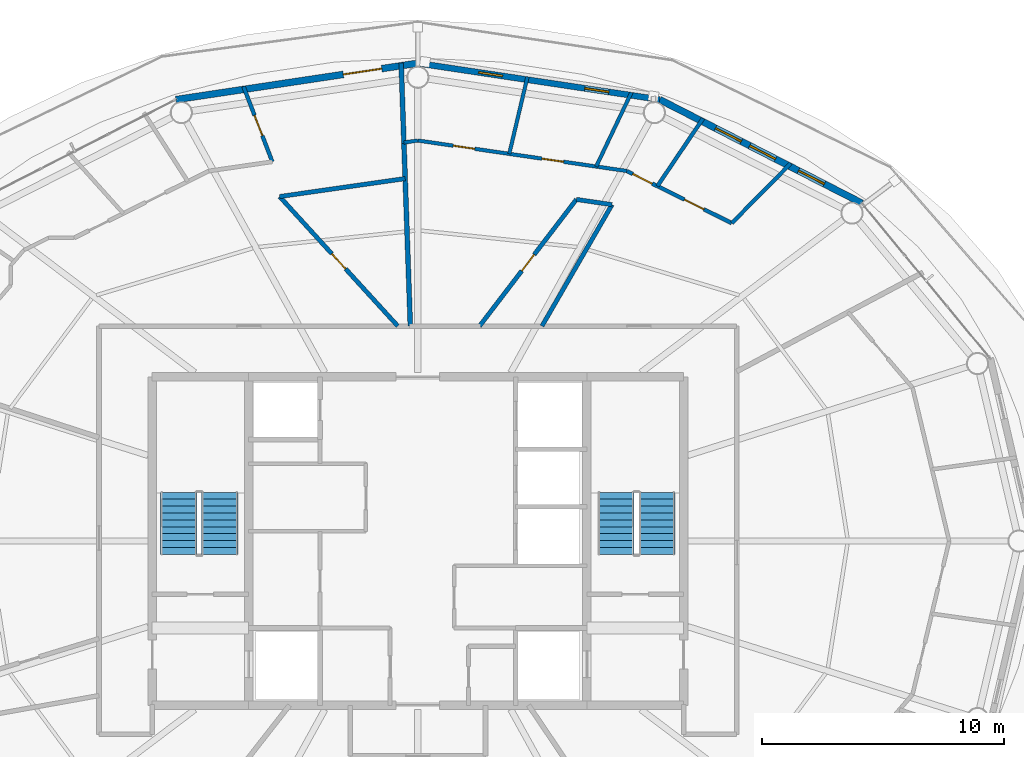
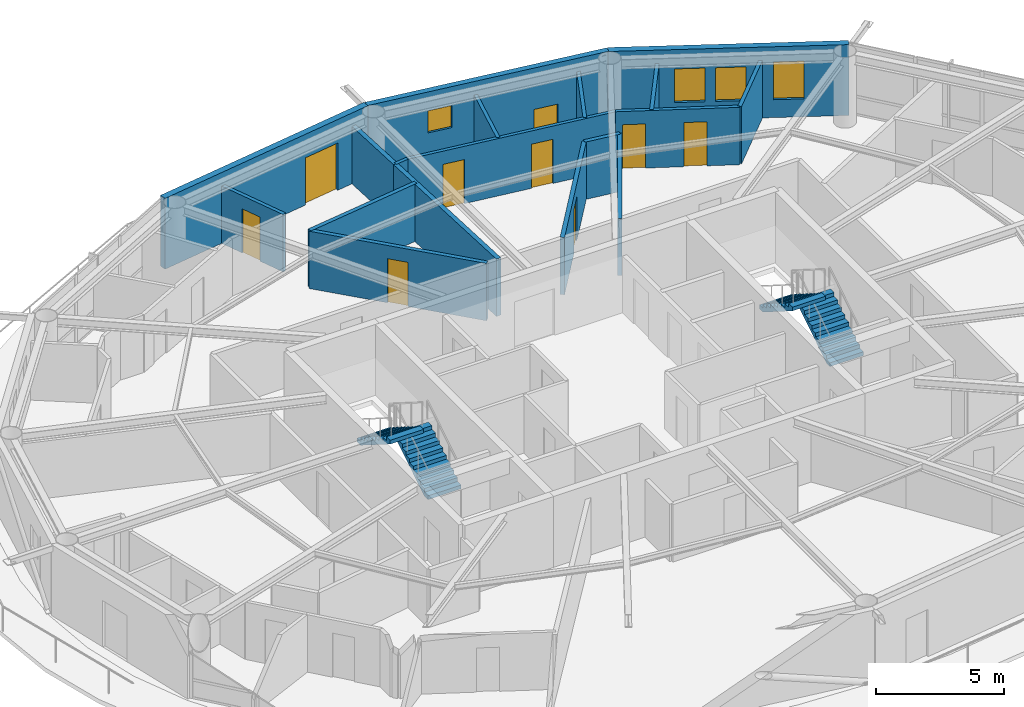
# One storey, part 19 of 22: 18 walls, 8 doors, 5 windows, 4 stair flights, 13 openings, 2 elements without a shape of their own.
"""IFC4 building model written with IfcOpenShell, lengths in metres."""

from ifc_helpers import new_model, si_unit, direction, frame, frame_2d, origin, place, context, subcontext, project, spatial, polyline, rectangle, outline, extrude, material, layer, layer_set, type_object, element, fill, aggregate, save


model = new_model("IFC4")

# Units and contexts
model_context = context("Model", 3, precision=1e-05, world=origin(), true_north=direction((0.0, 1.0)))
body_context = subcontext(model_context, "Body", "Model", "MODEL_VIEW")
ifc_project = project(units=[si_unit("LENGTHUNIT", "METRE"), si_unit("AREAUNIT", "SQUARE_METRE"), si_unit("VOLUMEUNIT", "CUBIC_METRE"), si_unit("PLANEANGLEUNIT", "RADIAN"), si_unit("MASSUNIT", "GRAM", prefix="KILO")], contexts=[model_context])

# Site, building, storey
site_placement = place(None, origin())
site = spatial("IfcSite", under=ifc_project, at=site_placement, CompositionType="ELEMENT")
building_placement = place(site_placement, origin())
building = spatial("IfcBuilding", under=site, at=building_placement, Name="Sarneth Arch Tower", CompositionType="ELEMENT")
storey_placement = place(building_placement, frame((0.0, 0.0, 291.0)))
storey = spatial("IfcBuildingStorey", under=building, at=storey_placement, Name="L75", CompositionType="ELEMENT", Elevation=291.0)

# Wall, openings, windows
ifc_material_1 = material(Name="Extruded terracotta rainscreen on Concrete C40/50 backing", Category="masonry")
ifc_layer_1 = layer(ifc_material_1, 0.25)
ifc_layer_set_1 = layer_set([ifc_layer_1], Name="Extruded terracotta rainscreen on Concrete C40/50 backing")
wall_type_1 = type_object("IfcWallType", Name="WALL-EXT-SPAND-250", PredefinedType="SOLIDWALL", material=ifc_layer_set_1)
wall_1_placement = place(storey_placement, frame((58.0126953125, 60.2744140625, 0.0), z_axis=(0.0, 0.0, 1.0), x_axis=(-0.988882522213, 0.148698881169, 0.0)))
wall_1 = element("IfcWall", 1, at=wall_1_placement, inside=storey, type_object=wall_type_1, Name="L75 Terracotta perimeter wall 04", PredefinedType="SOLIDWALL", context=body_context, shape_type="SweptSolid", body=[
    extrude(rectangle(XDim=10.125244140625, YDim=0.25, at=frame_2d((5.0625, 0.0))), origin(), (0.0, 0.0, 1.0), 3.3701171875),
])
opening_1_placement = place(wall_1_placement, frame((2.1337890625, 0.0, 0.35009765625)))
opening_1 = element("IfcOpeningElement", 2, at=opening_1_placement, cuts=wall_1, Name="Opening W-14", PredefinedType="OPENING", context=body_context, shape_type="SweptSolid", body=[
    extrude(rectangle(XDim=1.0, YDim=1.050048828125, at=frame_2d((0.5, 0.52490234375))), frame((0.0, 0.135009765625, 0.0), z_axis=(0.0, -1.0, 0.0), x_axis=(1.0, 0.0, 0.0)), (0.0, 0.0, 1.0), 0.27001953125),
])
opening_2_placement = place(wall_1_placement, frame((6.58154296875, 0.0, 1.419921875)))
opening_2 = element("IfcOpeningElement", 3, at=opening_2_placement, cuts=wall_1, Name="Opening W-14", PredefinedType="OPENING", context=body_context, shape_type="SweptSolid", body=[
    extrude(rectangle(XDim=1.0, YDim=1.050048828125, at=frame_2d((0.5, 0.52490234375))), frame((0.0, 0.135009765625, 0.0), z_axis=(0.0, -1.0, 0.0), x_axis=(1.0, 0.0, 0.0)), (0.0, 0.0, 1.0), 0.27001953125),
])
ifc_material_2 = material(Name="Thermally broken Aluminium 6063-T6 and low-e laminated IGU", Category="aluminium")
window_type_1 = type_object("IfcWindowType", Name="WIN-TWR-1000x1050", PartitioningType="SINGLE_PANEL", PredefinedType="WINDOW", material=ifc_material_2)
window_1_placement = place(opening_1_placement, origin())
window_1 = element("IfcWindow", 4, at=window_1_placement, inside=storey, type_object=window_type_1, Name="L75 Dwelling bedroom window 01", OverallHeight=1.050048828125, OverallWidth=1.0, PartitioningType="SINGLE_PANEL", PredefinedType="WINDOW", context=body_context, shape_type="SweptSolid", body=[
    extrude(rectangle(XDim=1.0, YDim=1.050048828125, at=frame_2d((0.5, 0.52490234375))), frame((0.0, 0.030029296875, 0.0), z_axis=(0.0, -1.0, 0.0), x_axis=(1.0, 0.0, 0.0)), (0.0, 0.0, 1.0), 0.06005859375),
])
fill(opening_1, window_1)
window_2_placement = place(opening_2_placement, origin())
window_2 = element("IfcWindow", 5, at=window_2_placement, inside=storey, type_object=window_type_1, Name="L75 Dwelling bedroom window 02", OverallHeight=1.050048828125, OverallWidth=1.0, PartitioningType="SINGLE_PANEL", PredefinedType="WINDOW", context=body_context, shape_type="SweptSolid", body=[
    extrude(rectangle(XDim=1.0, YDim=1.050048828125, at=frame_2d((0.5, 0.52490234375))), frame((0.0, 0.030029296875, 0.0), z_axis=(0.0, -1.0, 0.0), x_axis=(1.0, 0.0, 0.0)), (0.0, 0.0, 1.0), 0.06005859375),
])
fill(opening_2, window_2)

ifc_material_3 = material(Name="Extruded terracotta rainscreen on Concrete C40/50 backing", Category="masonry")
ifc_layer_2 = layer(ifc_material_3, 0.280029296875)
ifc_layer_set_2 = layer_set([ifc_layer_2], Name="Extruded terracotta rainscreen on Concrete C40/50 backing")
wall_type_2 = type_object("IfcWallType", Name="WALL-EXT-TERRA-280", PredefinedType="SOLIDWALL", material=ifc_layer_set_2)
wall_2_placement = place(storey_placement, frame((66.382568359375, 55.986572265625, 0.0), z_axis=(0.0, 0.0, 1.0), x_axis=(-0.890007394051, 0.455946091699, 0.0)))
wall_2 = element("IfcWall", 6, at=wall_2_placement, inside=storey, type_object=wall_type_2, Name="L75 Terracotta perimeter wall 03", PredefinedType="SOLIDWALL", context=body_context, shape_type="SweptSolid", body=[
    extrude(rectangle(XDim=9.404296875, YDim=0.280029296875, at=frame_2d((4.7021484375, 0.0))), origin(), (0.0, 0.0, 1.0), 3.3701171875),
])
opening_3_placement = place(wall_2_placement, frame((1.75, 0.0, 0.85009765625)))
opening_3 = element("IfcOpeningElement", 7, at=opening_3_placement, cuts=wall_2, Name="Opening W-09", PredefinedType="OPENING", context=body_context, shape_type="SweptSolid", body=[
    extrude(rectangle(XDim=1.199951171875, YDim=1.800048828125, at=frame_2d((0.60009765625, 0.89990234375))), frame((0.0, 0.14990234375, 0.0), z_axis=(0.0, -1.0, 0.0), x_axis=(1.0, 0.0, 0.0)), (0.0, 0.0, 1.0), 0.300048828125),
])
opening_4_placement = place(wall_2_placement, frame((4.016845703125, 0.0, 0.85009765625)))
opening_4 = element("IfcOpeningElement", 8, at=opening_4_placement, cuts=wall_2, Name="Opening W-10", PredefinedType="OPENING", context=body_context, shape_type="SweptSolid", body=[
    extrude(rectangle(XDim=1.199951171875, YDim=1.60009765625, at=frame_2d((0.60009765625, 0.800048828125))), frame((0.0, 0.14990234375, 0.0), z_axis=(0.0, -1.0, 0.0), x_axis=(1.0, 0.0, 0.0)), (0.0, 0.0, 1.0), 0.300048828125),
])
opening_5_placement = place(wall_2_placement, frame((5.609375, 0.0, 0.85009765625)))
opening_5 = element("IfcOpeningElement", 9, at=opening_5_placement, cuts=wall_2, Name="Opening W-10", PredefinedType="OPENING", context=body_context, shape_type="SweptSolid", body=[
    extrude(rectangle(XDim=1.199951171875, YDim=1.60009765625, at=frame_2d((0.60009765625, 0.800048828125))), frame((0.0, 0.14990234375, 0.0), z_axis=(0.0, -1.0, 0.0), x_axis=(1.0, 0.0, 0.0)), (0.0, 0.0, 1.0), 0.300048828125),
])
ifc_material_4 = material(Name="Thermally broken Aluminium 6063-T6 and low-e laminated IGU", Category="aluminium")
window_type_2 = type_object("IfcWindowType", Name="WIN-TWR-1200x1600", PartitioningType="SINGLE_PANEL", PredefinedType="WINDOW", material=ifc_material_4)
window_3_placement = place(opening_4_placement, origin())
window_3 = element("IfcWindow", 10, at=window_3_placement, inside=storey, type_object=window_type_2, Name="L75 Exterior window 03B", OverallHeight=1.60009765625, OverallWidth=1.199951171875, PartitioningType="SINGLE_PANEL", PredefinedType="WINDOW", context=body_context, shape_type="SweptSolid", body=[
    extrude(rectangle(XDim=1.199951171875, YDim=1.60009765625, at=frame_2d((0.60009765625, 0.800048828125))), frame((0.0, 0.030029296875, 0.0), z_axis=(0.0, -1.0, 0.0), x_axis=(1.0, 0.0, 0.0)), (0.0, 0.0, 1.0), 0.06005859375),
])
fill(opening_4, window_3)
window_4_placement = place(opening_5_placement, origin())
window_4 = element("IfcWindow", 11, at=window_4_placement, inside=storey, type_object=window_type_2, Name="L75 Exterior window 03C", OverallHeight=1.60009765625, OverallWidth=1.199951171875, PartitioningType="SINGLE_PANEL", PredefinedType="WINDOW", context=body_context, shape_type="SweptSolid", body=[
    extrude(rectangle(XDim=1.199951171875, YDim=1.60009765625, at=frame_2d((0.60009765625, 0.800048828125))), frame((0.0, 0.030029296875, 0.0), z_axis=(0.0, -1.0, 0.0), x_axis=(1.0, 0.0, 0.0)), (0.0, 0.0, 1.0), 0.06005859375),
])
fill(opening_5, window_4)
ifc_material_5 = material(Name="Thermally broken Aluminium 6063-T6 and low-e laminated IGU", Category="aluminium")
window_type_3 = type_object("IfcWindowType", Name="WIN-TWR-1200x1800", PartitioningType="SINGLE_PANEL", PredefinedType="WINDOW", material=ifc_material_5)
window_5_placement = place(opening_3_placement, origin())
window_5 = element("IfcWindow", 12, at=window_5_placement, inside=storey, type_object=window_type_3, Name="L75 Exterior window 03A", OverallHeight=1.800048828125, OverallWidth=1.199951171875, PartitioningType="SINGLE_PANEL", PredefinedType="WINDOW", context=body_context, shape_type="SweptSolid", body=[
    extrude(rectangle(XDim=1.199951171875, YDim=1.800048828125, at=frame_2d((0.60009765625, 0.89990234375))), frame((0.0, 0.030029296875, 0.0), z_axis=(0.0, -1.0, 0.0), x_axis=(1.0, 0.0, 0.0)), (0.0, 0.0, 1.0), 0.06005859375),
])
fill(opening_3, window_5)

# Wall, opening, door
wall_3_placement = place(storey_placement, frame((48.0, 61.780029296875, 0.0), z_axis=(0.0, 0.0, 1.0), x_axis=(-0.988882522213, -0.148698881169, 0.0)))
wall_3 = element("IfcWall", 13, at=wall_3_placement, inside=storey, type_object=wall_type_2, Name="L75 Terracotta perimeter wall 05", PredefinedType="SOLIDWALL", context=body_context, shape_type="SweptSolid", body=[
    extrude(rectangle(XDim=10.125244140625, YDim=0.280029296875, at=frame_2d((5.0625, 0.0))), origin(), (0.0, 0.0, 1.0), 3.3701171875),
])
opening_6_placement = place(wall_3_placement, frame((1.51611328125, 0.0, 0.0)))
opening_6 = element("IfcOpeningElement", 14, at=opening_6_placement, cuts=wall_3, Name="Opening BD-1", PredefinedType="OPENING", context=body_context, shape_type="SweptSolid", body=[
    extrude(rectangle(XDim=1.60009765625, YDim=2.25, at=frame_2d((0.800048828125, 1.125))), frame((0.0, 0.14990234375, 0.0), z_axis=(0.0, -1.0, 0.0), x_axis=(1.0, 0.0, 0.0)), (0.0, 0.0, 1.0), 0.300048828125),
])
ifc_material_6 = material(Name="Thermally broken Aluminium 6063-T6 and laminated safety glass", Category="aluminium")
door_type_1 = type_object("IfcDoorType", Name="DR-BALC-GLZ-1600", OperationType="DOUBLE_DOOR_SINGLE_SWING", PredefinedType="DOOR", material=ifc_material_6)
door_1_placement = place(opening_6_placement, origin())
door_1 = element("IfcDoor", 15, at=door_1_placement, inside=storey, type_object=door_type_1, Name="L75 Balcony glazed door 05", OperationType="DOUBLE_DOOR_SINGLE_SWING", OverallHeight=2.25, OverallWidth=1.60009765625, PredefinedType="DOOR", context=body_context, shape_type="SweptSolid", body=[
    extrude(rectangle(XDim=1.60009765625, YDim=2.25, at=frame_2d((0.800048828125, 1.125))), frame((0.0, 0.02490234375, 0.0), z_axis=(0.0, -1.0, 0.0), x_axis=(1.0, 0.0, 0.0)), (0.0, 0.0, 1.0), 0.050048828125),
])
fill(opening_6, door_1)

# Wall, openings, doors
ifc_material_7 = material(Name="Acoustic gypsum stud partition", Category="gypsum")
ifc_layer_3 = layer(ifc_material_7, 0.14990234375)
ifc_layer_set_3 = layer_set([ifc_layer_3], Name="Acoustic gypsum stud partition")
wall_type_3 = type_object("IfcWallType", Name="WALL-PART-150", PredefinedType="PARTITIONING", material=ifc_layer_set_3)
wall_4_placement = place(storey_placement, frame((48.0, 58.580078125, 0.0), z_axis=(0.0, 0.0, 1.0), x_axis=(0.989536136377, -0.144285254977, 0.0)))
wall_4 = element("IfcWall", 16, at=wall_4_placement, inside=storey, type_object=wall_type_3, Name="L75 Interior partition W-L75-TP-028", PredefinedType="PARTITIONING", context=body_context, shape_type="SweptSolid", body=[
    extrude(rectangle(XDim=8.746337890625, YDim=0.14990234375, at=frame_2d((4.373046875, 0.0))), origin(), (0.0, 0.0, 1.0), 2.72998046875),
])
opening_7_placement = place(wall_4_placement, frame((1.478759765625, 0.0, 0.0)))
opening_7 = element("IfcOpeningElement", 17, at=opening_7_placement, cuts=wall_4, Name="Opening ID-01", PredefinedType="OPENING", context=body_context, shape_type="SweptSolid", body=[
    extrude(rectangle(XDim=0.89990234375, YDim=2.10009765625, at=frame_2d((0.449951171875, 1.050048828125))), frame((0.0, 0.0849609375, 0.0), z_axis=(0.0, -1.0, 0.0), x_axis=(1.0, 0.0, 0.0)), (0.0, 0.0, 1.0), 0.169921875),
])
opening_8_placement = place(wall_4_placement, frame((5.193359375, 0.0, 0.0)))
opening_8 = element("IfcOpeningElement", 18, at=opening_8_placement, cuts=wall_4, Name="Opening ID-01", PredefinedType="OPENING", context=body_context, shape_type="SweptSolid", body=[
    extrude(rectangle(XDim=0.89990234375, YDim=2.10009765625, at=frame_2d((0.449951171875, 1.050048828125))), frame((0.0, 0.0849609375, 0.0), z_axis=(0.0, -1.0, 0.0), x_axis=(1.0, 0.0, 0.0)), (0.0, 0.0, 1.0), 0.169921875),
])
ifc_material_8 = material(Name="Engineered hardwood flush door", Category="wood")
door_type_2 = type_object("IfcDoorType", Name="DR-INT-900", OperationType="SINGLE_SWING_LEFT", PredefinedType="DOOR", material=ifc_material_8)
door_2_placement = place(opening_7_placement, origin())
door_2 = element("IfcDoor", 19, at=door_2_placement, inside=storey, type_object=door_type_2, Name="L75 Interior door DR-L75-U1-BED2", OperationType="SINGLE_SWING_LEFT", OverallHeight=2.10009765625, OverallWidth=0.89990234375, PredefinedType="DOOR", context=body_context, shape_type="SweptSolid", body=[
    extrude(rectangle(XDim=0.89990234375, YDim=2.10009765625, at=frame_2d((0.449951171875, 1.050048828125))), frame((0.0, 0.02490234375, 0.0), z_axis=(0.0, -1.0, 0.0), x_axis=(1.0, 0.0, 0.0)), (0.0, 0.0, 1.0), 0.050048828125),
])
fill(opening_7, door_2)
door_3_placement = place(opening_8_placement, origin())
door_3 = element("IfcDoor", 20, at=door_3_placement, inside=storey, type_object=door_type_2, Name="L75 Interior door DR-L75-U1-BED1", OperationType="SINGLE_SWING_RIGHT", OverallHeight=2.10009765625, OverallWidth=0.89990234375, PredefinedType="DOOR", context=body_context, shape_type="SweptSolid", body=[
    extrude(rectangle(XDim=0.89990234375, YDim=2.10009765625, at=frame_2d((0.449951171875, 1.050048828125))), frame((0.0, 0.02490234375, 0.0), z_axis=(0.0, -1.0, 0.0), x_axis=(1.0, 0.0, 0.0)), (0.0, 0.0, 1.0), 0.050048828125),
])
fill(opening_8, door_3)

# Walls
wall_5_placement = place(storey_placement, frame((56.842041015625, 60.56640625, 0.0), z_axis=(0.0, 0.0, 1.0), x_axis=(-0.429975480416, -0.902840565239, 0.0)))
element("IfcWall", 21, at=wall_5_placement, inside=storey, type_object=wall_type_3, Name="L75 Interior partition W-L75-TP-034", PredefinedType="PARTITIONING", context=body_context, shape_type="SweptSolid", body=[
    extrude(rectangle(XDim=3.392578125, YDim=0.14990234375, at=frame_2d((1.6962890625, 0.0))), origin(), (0.0, 0.0, 1.0), 2.72998046875),
])
wall_6_placement = place(storey_placement, frame((51.78515625, 58.028076171875, 0.0), z_axis=(0.0, 0.0, 1.0), x_axis=(0.2298279545, 0.973231273301, 0.0)))
element("IfcWall", 22, at=wall_6_placement, inside=storey, type_object=wall_type_3, Name="L75 Interior partition W-L75-TP-035", PredefinedType="PARTITIONING", context=body_context, shape_type="SweptSolid", body=[
    extrude(rectangle(XDim=3.278076171875, YDim=0.14990234375, at=frame_2d((1.63916015625, 0.0))), origin(), (0.0, 0.0, 1.0), 2.72998046875),
])
wall_7_placement = place(storey_placement, frame((47.424072265625, 58.49609375, 0.0), z_axis=(0.0, 0.0, 1.0), x_axis=(0.989534228924, 0.144298336053, 0.0)))
element("IfcWall", 23, at=wall_7_placement, inside=storey, type_object=wall_type_3, Name="L75 Interior partition W-L75-TP-027", PredefinedType="PARTITIONING", context=body_context, shape_type="SweptSolid", body=[
    extrude(rectangle(XDim=0.58203125, YDim=0.14990234375, at=frame_2d((0.291015625, 0.0))), origin(), (0.0, 0.0, 1.0), 2.72998046875),
])

# Wall, openings, doors
ifc_material_9 = material(Name="Kitchen wet service chase wall", Category="gypsum")
ifc_layer_4 = layer(ifc_material_9, 0.159912109375)
ifc_layer_set_4 = layer_set([ifc_layer_4], Name="Kitchen wet service chase wall")
wall_type_4 = type_object("IfcWallType", Name="WALL-PLUMB-160", PredefinedType="PLUMBINGWALL", material=ifc_layer_set_4)
wall_8_placement = place(storey_placement, frame((56.65478515625, 57.318115234375, 0.0), z_axis=(0.0, 0.0, 1.0), x_axis=(0.895572412961, -0.44491578208, 0.0)))
wall_8 = element("IfcWall", 24, at=wall_8_placement, inside=storey, type_object=wall_type_4, Name="L75 Interior partition W-L75-TP-021", PredefinedType="PLUMBINGWALL", context=body_context, shape_type="SweptSolid", body=[
    extrude(rectangle(XDim=4.84814453125, YDim=0.159912109375, at=frame_2d((2.424072265625, 0.0))), origin(), (0.0, 0.0, 1.0), 2.72998046875),
])
opening_9_placement = place(wall_8_placement, frame((2.66162109375, 0.0, 0.0)))
opening_9 = element("IfcOpeningElement", 25, at=opening_9_placement, cuts=wall_8, Name="Opening ID-01", PredefinedType="OPENING", context=body_context, shape_type="SweptSolid", body=[
    extrude(rectangle(XDim=0.89990234375, YDim=2.10009765625, at=frame_2d((0.449951171875, 1.050048828125))), frame((0.0, 0.08984375, 0.0), z_axis=(0.0, -1.0, 0.0), x_axis=(1.0, 0.0, 0.0)), (0.0, 0.0, 1.0), 0.179931640625),
])
opening_10_placement = place(wall_8_placement, frame((0.27001953125, 0.0, 0.0)))
opening_10 = element("IfcOpeningElement", 26, at=opening_10_placement, cuts=wall_8, Name="Opening ID-01", PredefinedType="OPENING", context=body_context, shape_type="SweptSolid", body=[
    extrude(rectangle(XDim=0.89990234375, YDim=2.10009765625, at=frame_2d((0.449951171875, 1.050048828125))), frame((0.0, 0.08984375, 0.0), z_axis=(0.0, -1.0, 0.0), x_axis=(1.0, 0.0, 0.0)), (0.0, 0.0, 1.0), 0.179931640625),
])
door_4_placement = place(opening_9_placement, origin())
door_4 = element("IfcDoor", 27, at=door_4_placement, inside=storey, type_object=door_type_2, Name="L75 Interior door DR-L75-U1-KIT", OperationType="SINGLE_SWING_LEFT", OverallHeight=2.10009765625, OverallWidth=0.89990234375, PredefinedType="DOOR", context=body_context, shape_type="SweptSolid", body=[
    extrude(rectangle(XDim=0.89990234375, YDim=2.10009765625, at=frame_2d((0.449951171875, 1.050048828125))), frame((0.0, 0.02490234375, 0.0), z_axis=(0.0, -1.0, 0.0), x_axis=(1.0, 0.0, 0.0)), (0.0, 0.0, 1.0), 0.050048828125),
])
fill(opening_9, door_4)
door_5_placement = place(opening_10_placement, origin())
door_5 = element("IfcDoor", 28, at=door_5_placement, inside=storey, type_object=door_type_2, Name="L75 Interior door DR-L75-U1-STD", OperationType="SINGLE_SWING_LEFT", OverallHeight=2.10009765625, OverallWidth=0.89990234375, PredefinedType="DOOR", context=body_context, shape_type="SweptSolid", body=[
    extrude(rectangle(XDim=0.89990234375, YDim=2.10009765625, at=frame_2d((0.449951171875, 1.050048828125))), frame((0.0, 0.02490234375, 0.0), z_axis=(0.0, -1.0, 0.0), x_axis=(1.0, 0.0, 0.0)), (0.0, 0.0, 1.0), 0.050048828125),
])
fill(opening_10, door_5)

# Walls
wall_9_placement = place(storey_placement, frame((60.99658203125, 55.1611328125, 0.0), z_axis=(0.0, 0.0, 1.0), x_axis=(0.702618919802, 0.711566338113, 0.0)))
element("IfcWall", 29, at=wall_9_placement, inside=storey, type_object=wall_type_4, Name="L75 Interior partition W-L75-TP-022", PredefinedType="PLUMBINGWALL", context=body_context, shape_type="SweptSolid", body=[
    extrude(rectangle(XDim=3.46533203125, YDim=0.159912109375, at=frame_2d((1.732666015625, 0.0))), origin(), (0.0, 0.0, 1.0), 2.72998046875),
])
wall_10_placement = place(storey_placement, frame((59.804443359375, 59.490234375, 0.0), z_axis=(0.0, 0.0, 1.0), x_axis=(-0.559397095435, -0.828899806743, 0.0)))
element("IfcWall", 30, at=wall_10_placement, inside=storey, type_object=wall_type_4, Name="L75 Interior partition W-L75-TP-033", PredefinedType="PLUMBINGWALL", context=body_context, shape_type="SweptSolid", body=[
    extrude(rectangle(XDim=3.376220703125, YDim=0.159912109375, at=frame_2d((1.68798828125, 0.0))), origin(), (0.0, 0.0, 1.0), 2.72998046875),
])

# Wall, opening, door
wall_11_placement = place(storey_placement, frame((41.9765625, 57.70166015625, 0.0), z_axis=(0.0, 0.0, 1.0), x_axis=(-0.358154229758, 0.933662437772, 0.0)))
wall_11 = element("IfcWall", 31, at=wall_11_placement, inside=storey, type_object=wall_type_4, Name="L75 Interior partition W-L75-TP-040", PredefinedType="PLUMBINGWALL", context=body_context, shape_type="SweptSolid", body=[
    extrude(rectangle(XDim=3.332763671875, YDim=0.159912109375, at=frame_2d((1.66650390625, 0.0))), origin(), (0.0, 0.0, 1.0), 2.72998046875),
])
opening_11_placement = place(wall_11_placement, frame((1.156494140625, 0.0, 0.0)))
opening_11 = element("IfcOpeningElement", 32, at=opening_11_placement, cuts=wall_11, Name="Opening ID-01", PredefinedType="OPENING", context=body_context, shape_type="SweptSolid", body=[
    extrude(rectangle(XDim=0.89990234375, YDim=2.10009765625, at=frame_2d((0.449951171875, 1.050048828125))), frame((0.0, 0.08984375, 0.0), z_axis=(0.0, -1.0, 0.0), x_axis=(1.0, 0.0, 0.0)), (0.0, 0.0, 1.0), 0.179931640625),
])
door_6_placement = place(opening_11_placement, origin())
door_6 = element("IfcDoor", 33, at=door_6_placement, inside=storey, type_object=door_type_2, Name="L75 Interior door DR-L75-U2-KIT", OperationType="SINGLE_SWING_RIGHT", OverallHeight=2.10009765625, OverallWidth=0.89990234375, PredefinedType="DOOR", context=body_context, shape_type="SweptSolid", body=[
    extrude(rectangle(XDim=0.89990234375, YDim=2.10009765625, at=frame_2d((0.449951171875, 1.050048828125))), frame((0.0, 0.02490234375, 0.0), z_axis=(0.0, -1.0, 0.0), x_axis=(1.0, 0.0, 0.0)), (0.0, 0.0, 1.0), 0.050048828125),
])
fill(opening_11, door_6)

ifc_material_10 = material(Name="Moisture-resistant plumbing chase wall", Category="gypsum")
ifc_layer_5 = layer(ifc_material_10, 0.179931640625)
ifc_layer_set_5 = layer_set([ifc_layer_5], Name="Moisture-resistant plumbing chase wall")
wall_type_5 = type_object("IfcWallType", Name="WALL-PLUMB-180", PredefinedType="PLUMBINGWALL", material=ifc_layer_set_5)
wall_12_placement = place(storey_placement, frame((42.277587890625, 56.26123046875, 0.0), z_axis=(0.0, 0.0, 1.0), x_axis=(0.674096276867, -0.73864349284, 0.0)))
wall_12 = element("IfcWall", 34, at=wall_12_placement, inside=storey, type_object=wall_type_5, Name="L75 Interior partition W-L75-TP-042", PredefinedType="PLUMBINGWALL", context=body_context, shape_type="SweptSolid", body=[
    extrude(rectangle(XDim=7.25830078125, YDim=0.179931640625, at=frame_2d((3.629150390625, 0.0))), origin(), (0.0, 0.0, 1.0), 2.72998046875),
])
opening_12_placement = place(wall_12_placement, frame((3.2041015625, 0.0, 0.0)))
opening_12 = element("IfcOpeningElement", 35, at=opening_12_placement, cuts=wall_12, Name="Opening ID-02", PredefinedType="OPENING", context=body_context, shape_type="SweptSolid", body=[
    extrude(rectangle(XDim=0.85009765625, YDim=2.10009765625, at=frame_2d((0.425048828125, 1.050048828125))), frame((0.0, 0.099853515625, 0.0), z_axis=(0.0, -1.0, 0.0), x_axis=(1.0, 0.0, 0.0)), (0.0, 0.0, 1.0), 0.199951171875),
])
ifc_material_11 = material(Name="Moisture-resistant bathroom timber door", Category="wood")
door_type_3 = type_object("IfcDoorType", Name="DR-INT-850", OperationType="SINGLE_SWING_RIGHT", PredefinedType="DOOR", material=ifc_material_11)
door_7_placement = place(opening_12_placement, origin())
door_7 = element("IfcDoor", 36, at=door_7_placement, inside=storey, type_object=door_type_3, Name="L75 Interior door DR-L75-U2-BATH", OperationType="SINGLE_SWING_LEFT", OverallHeight=2.10009765625, OverallWidth=0.85009765625, PredefinedType="DOOR", context=body_context, shape_type="SweptSolid", body=[
    extrude(rectangle(XDim=0.85009765625, YDim=2.10009765625, at=frame_2d((0.425048828125, 1.050048828125))), frame((0.0, 0.02490234375, 0.0), z_axis=(0.0, -1.0, 0.0), x_axis=(1.0, 0.0, 0.0)), (0.0, 0.0, 1.0), 0.050048828125),
])
fill(opening_12, door_7)

wall_13_placement = place(storey_placement, frame((54.563720703125, 56.14111328125, 0.0), z_axis=(0.0, 0.0, 1.0), x_axis=(-0.607456974677, -0.794352581614, 0.0)))
wall_13 = element("IfcWall", 37, at=wall_13_placement, inside=storey, type_object=wall_type_5, Name="L75 Interior partition W-L75-TP-025", PredefinedType="PLUMBINGWALL", context=body_context, shape_type="SweptSolid", body=[
    extrude(rectangle(XDim=6.59814453125, YDim=0.179931640625, at=frame_2d((3.299072265625, 0.0))), origin(), (0.0, 0.0, 1.0), 2.72998046875),
])
opening_13_placement = place(wall_13_placement, frame((2.8740234375, 0.0, 0.0)))
opening_13 = element("IfcOpeningElement", 38, at=opening_13_placement, cuts=wall_13, Name="Opening ID-02", PredefinedType="OPENING", context=body_context, shape_type="SweptSolid", body=[
    extrude(rectangle(XDim=0.85009765625, YDim=2.10009765625, at=frame_2d((0.425048828125, 1.050048828125))), frame((0.0, 0.099853515625, 0.0), z_axis=(0.0, -1.0, 0.0), x_axis=(1.0, 0.0, 0.0)), (0.0, 0.0, 1.0), 0.199951171875),
])
door_8_placement = place(opening_13_placement, origin())
door_8 = element("IfcDoor", 39, at=door_8_placement, inside=storey, type_object=door_type_3, Name="L75 Interior door DR-L75-U1-BATH", OperationType="SINGLE_SWING_LEFT", OverallHeight=2.10009765625, OverallWidth=0.85009765625, PredefinedType="DOOR", context=body_context, shape_type="SweptSolid", body=[
    extrude(rectangle(XDim=0.85009765625, YDim=2.10009765625, at=frame_2d((0.425048828125, 1.050048828125))), frame((0.0, 0.02490234375, 0.0), z_axis=(0.0, -1.0, 0.0), x_axis=(1.0, 0.0, 0.0)), (0.0, 0.0, 1.0), 0.050048828125),
])
fill(opening_13, door_8)

# Walls
wall_14_placement = place(storey_placement, frame((53.138427734375, 50.89990234375, 0.0), z_axis=(0.0, 0.0, 1.0), x_axis=(0.499985927882, 0.866033528173, 0.0)))
element("IfcWall", 40, at=wall_14_placement, inside=storey, type_object=wall_type_5, Name="L75 Interior partition W-L75-TP-023", PredefinedType="PLUMBINGWALL", context=body_context, shape_type="SweptSolid", body=[
    extrude(rectangle(XDim=5.802001953125, YDim=0.179931640625, at=frame_2d((2.90087890625, 0.0))), origin(), (0.0, 0.0, 1.0), 2.72998046875),
])
wall_15_placement = place(storey_placement, frame((47.47607421875, 57.0048828125, 0.0), z_axis=(0.0, 0.0, 1.0), x_axis=(-0.989922511169, -0.141610105153, 0.0)))
element("IfcWall", 41, at=wall_15_placement, inside=storey, type_object=wall_type_5, Name="L75 Interior partition W-L75-TP-041", PredefinedType="PLUMBINGWALL", context=body_context, shape_type="SweptSolid", body=[
    extrude(rectangle(XDim=5.25146484375, YDim=0.179931640625, at=frame_2d((2.625732421875, 0.0))), origin(), (0.0, 0.0, 1.0), 2.72998046875),
])
wall_16_placement = place(storey_placement, frame((56.039306640625, 55.924560546875, 0.0), z_axis=(0.0, 0.0, 1.0), x_axis=(-0.989402061703, 0.14520179165, 0.0)))
element("IfcWall", 42, at=wall_16_placement, inside=storey, type_object=wall_type_5, Name="L75 Interior partition W-L75-TP-024", PredefinedType="PLUMBINGWALL", context=body_context, shape_type="SweptSolid", body=[
    extrude(rectangle(XDim=1.491455078125, YDim=0.179931640625, at=frame_2d((0.74560546875, 0.0))), origin(), (0.0, 0.0, 1.0), 2.72998046875),
])
ifc_material_12 = material(Name="Double steel-stud acoustic drywall", Category="steel")
ifc_layer_6 = layer(ifc_material_12, 0.199951171875)
ifc_layer_set_6 = layer_set([ifc_layer_6], Name="Double steel-stud acoustic drywall")
wall_type_6 = type_object("IfcWallType", Name="WALL-UNIT-200", PredefinedType="PARTITIONING", material=ifc_layer_set_6)
wall_17_placement = place(storey_placement, frame((47.689208984375, 50.89990234375, 0.0), z_axis=(0.0, 0.0, 1.0), x_axis=(-0.034882659784, 0.999391414835, 0.0)))
element("IfcWall", 43, at=wall_17_placement, inside=storey, type_object=wall_type_6, Name="L75 Interior partition W-L75-TP-030", PredefinedType="PARTITIONING", context=body_context, shape_type="SweptSolid", body=[
    extrude(rectangle(XDim=7.600830078125, YDim=0.199951171875, at=frame_2d((3.80029296875, 0.0))), origin(), (0.0, 0.0, 1.0), 2.72998046875),
])
wall_18_placement = place(storey_placement, frame((47.30859375, 61.796630859375, 0.0), z_axis=(0.0, 0.0, 1.0), x_axis=(0.034921182562, -0.999390069497, 0.0)))
element("IfcWall", 44, at=wall_18_placement, inside=storey, type_object=wall_type_6, Name="L75 Interior partition W-L75-TP-036", PredefinedType="PARTITIONING", context=body_context, shape_type="SweptSolid", body=[
    extrude(rectangle(XDim=3.334716796875, YDim=0.199951171875, at=frame_2d((1.66748046875, 0.0))), origin(), (0.0, 0.0, 1.0), 2.72998046875),
])

# Stair, stair flights
ifc_material_13 = material(Name="Concrete C50/60", Category="concrete")
stair_type = type_object("IfcStairType", Name="STAIR-CORE-RC", PredefinedType="HALF_TURN_STAIR", material=ifc_material_13)
stair_1_placement = place(storey_placement, origin())
stair_1 = element("IfcStair", 45, at=stair_1_placement, inside=storey, type_object=stair_type, Name="L75 Core Exit Stair 1", PredefinedType="HALF_TURN_STAIR")
ifc_material_14 = material(Name="Concrete C50/60", Category="concrete")
stair_flight_type = type_object("IfcStairFlightType", Name="FLIGHT-RC-1500", PredefinedType="STRAIGHT", material=ifc_material_14)
stair_flight_1_placement = place(storey_placement, frame((39.800048828125, 41.449951171875, 0.0), z_axis=(0.0, 0.0, 1.0), x_axis=(0.0, 1.0, 0.0)))
stair_flight_1 = element("IfcStairFlight", 46, at=stair_flight_1_placement, type_object=stair_flight_type, Name="ST-1 flight 1", NumberOfRisers=10, NumberOfTreads=9, PredefinedType="STRAIGHT", RiserHeight=0.18, TreadLength=0.285, context=body_context, shape_type="SweptSolid", body=[
    extrude(outline(polyline([(0.0, 0.0), (0.0, 0.179931640625), (0.284912109375, 0.179931640625), (0.284912109375, 0.360107421875), (0.570068359375, 0.360107421875), (0.570068359375, 0.5400390625), (0.85498046875, 0.5400390625), (0.85498046875, 0.719970703125), (1.139892578125, 0.719970703125), (1.139892578125, 0.89990234375), (1.425048828125, 0.89990234375), (1.425048828125, 1.080078125), (1.7099609375, 1.080078125), (1.7099609375, 1.260009765625), (1.9951171875, 1.260009765625), (1.9951171875, 1.43994140625), (2.280029296875, 1.43994140625), (2.280029296875, 1.6201171875), (2.56494140625, 1.6201171875), (2.56494140625, 1.800048828125), (2.56494140625, 1.442626953125), (0.28076171875, 0.0), (0.0, 0.0)])), frame((0.0, 0.75, 0.0), z_axis=(0.0, -1.0, 0.0), x_axis=(1.0, 0.0, 0.0)), (0.0, 0.0, 1.0), 1.5),
])
stair_flight_2_placement = place(storey_placement, frame((38.10009765625, 44.014892578125, 1.800048828125), z_axis=(0.0, 0.0, 1.0), x_axis=(0.0, -1.0, 0.0)))
stair_flight_2 = element("IfcStairFlight", 47, at=stair_flight_2_placement, type_object=stair_flight_type, Name="ST-1 flight 2", NumberOfRisers=10, NumberOfTreads=9, PredefinedType="STRAIGHT", RiserHeight=0.18, TreadLength=0.285, context=body_context, shape_type="SweptSolid", body=[
    extrude(outline(polyline([(0.0, 0.0), (0.0, 0.179931640625), (0.284912109375, 0.179931640625), (0.284912109375, 0.360107421875), (0.570068359375, 0.360107421875), (0.570068359375, 0.5400390625), (0.85498046875, 0.5400390625), (0.85498046875, 0.719970703125), (1.139892578125, 0.719970703125), (1.139892578125, 0.89990234375), (1.425048828125, 0.89990234375), (1.425048828125, 1.080078125), (1.7099609375, 1.080078125), (1.7099609375, 1.260009765625), (1.9951171875, 1.260009765625), (1.9951171875, 1.43994140625), (2.280029296875, 1.43994140625), (2.280029296875, 1.6201171875), (2.56494140625, 1.6201171875), (2.56494140625, 1.800048828125), (2.56494140625, 1.442626953125), (0.28076171875, 0.0), (0.0, 0.0)])), frame((0.0, 0.75, 0.0), z_axis=(0.0, -1.0, 0.0), x_axis=(1.0, 0.0, 0.0)), (0.0, 0.0, 1.0), 1.5),
])
aggregate(stair_1, [stair_flight_1, stair_flight_2])

stair_2_placement = place(storey_placement, origin())
stair_2 = element("IfcStair", 48, at=stair_2_placement, inside=storey, type_object=stair_type, Name="L75 Core Exit Stair 2", PredefinedType="HALF_TURN_STAIR")
stair_flight_3_placement = place(storey_placement, frame((57.89990234375, 41.449951171875, 0.0), z_axis=(0.0, 0.0, 1.0), x_axis=(0.0, 1.0, 0.0)))
stair_flight_3 = element("IfcStairFlight", 49, at=stair_flight_3_placement, type_object=stair_flight_type, Name="ST-2 flight 1", NumberOfRisers=10, NumberOfTreads=9, PredefinedType="STRAIGHT", RiserHeight=0.18, TreadLength=0.285, context=body_context, shape_type="SweptSolid", body=[
    extrude(outline(polyline([(0.0, 0.0), (0.0, 0.179931640625), (0.284912109375, 0.179931640625), (0.284912109375, 0.360107421875), (0.570068359375, 0.360107421875), (0.570068359375, 0.5400390625), (0.85498046875, 0.5400390625), (0.85498046875, 0.719970703125), (1.139892578125, 0.719970703125), (1.139892578125, 0.89990234375), (1.425048828125, 0.89990234375), (1.425048828125, 1.080078125), (1.7099609375, 1.080078125), (1.7099609375, 1.260009765625), (1.9951171875, 1.260009765625), (1.9951171875, 1.43994140625), (2.280029296875, 1.43994140625), (2.280029296875, 1.6201171875), (2.56494140625, 1.6201171875), (2.56494140625, 1.800048828125), (2.56494140625, 1.442626953125), (0.28076171875, 0.0), (0.0, 0.0)])), frame((0.0, 0.75, 0.0), z_axis=(0.0, -1.0, 0.0), x_axis=(1.0, 0.0, 0.0)), (0.0, 0.0, 1.0), 1.5),
])
stair_flight_4_placement = place(storey_placement, frame((56.199951171875, 44.014892578125, 1.800048828125), z_axis=(0.0, 0.0, 1.0), x_axis=(0.0, -1.0, 0.0)))
stair_flight_4 = element("IfcStairFlight", 50, at=stair_flight_4_placement, type_object=stair_flight_type, Name="ST-2 flight 2", NumberOfRisers=10, NumberOfTreads=9, PredefinedType="STRAIGHT", RiserHeight=0.18, TreadLength=0.285, context=body_context, shape_type="SweptSolid", body=[
    extrude(outline(polyline([(0.0, 0.0), (0.0, 0.179931640625), (0.284912109375, 0.179931640625), (0.284912109375, 0.360107421875), (0.570068359375, 0.360107421875), (0.570068359375, 0.5400390625), (0.85498046875, 0.5400390625), (0.85498046875, 0.719970703125), (1.139892578125, 0.719970703125), (1.139892578125, 0.89990234375), (1.425048828125, 0.89990234375), (1.425048828125, 1.080078125), (1.7099609375, 1.080078125), (1.7099609375, 1.260009765625), (1.9951171875, 1.260009765625), (1.9951171875, 1.43994140625), (2.280029296875, 1.43994140625), (2.280029296875, 1.6201171875), (2.56494140625, 1.6201171875), (2.56494140625, 1.800048828125), (2.56494140625, 1.442626953125), (0.28076171875, 0.0), (0.0, 0.0)])), frame((0.0, 0.75, 0.0), z_axis=(0.0, -1.0, 0.0), x_axis=(1.0, 0.0, 0.0)), (0.0, 0.0, 1.0), 1.5),
])
aggregate(stair_2, [stair_flight_3, stair_flight_4])

save(model, "model.ifc")
